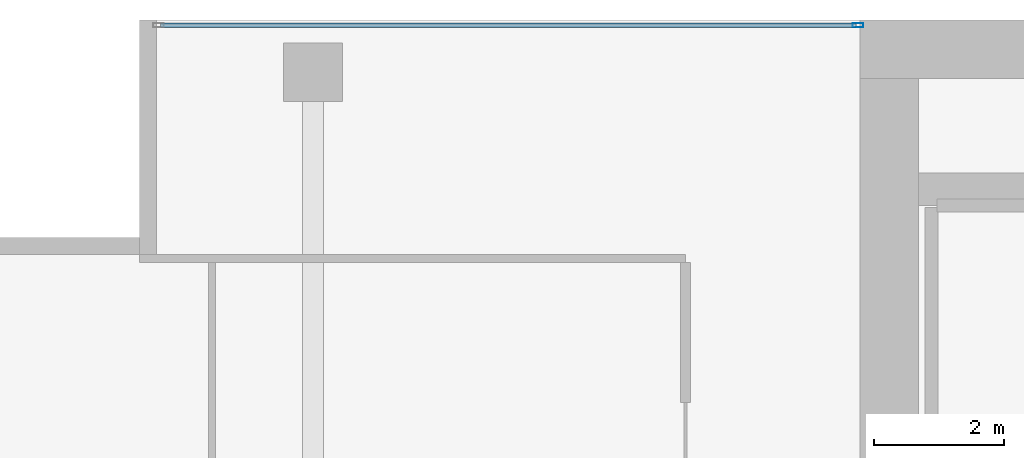
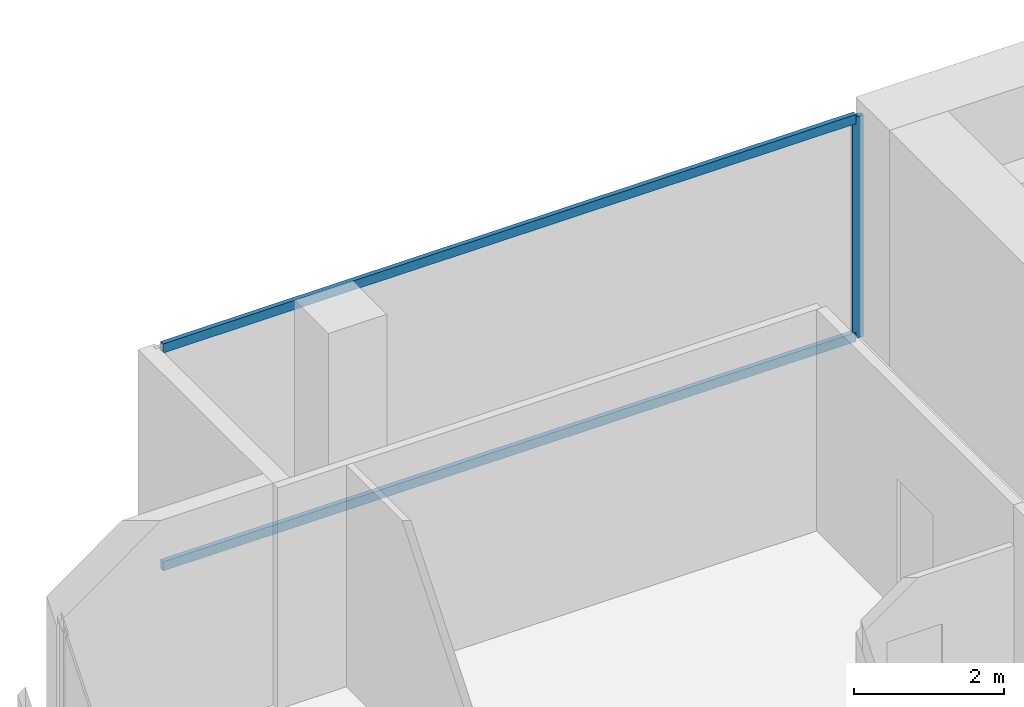
# One storey, part 26 of 40: 3 members, 1 element without a shape of its own.
"""IFC4 building model written with IfcOpenShell, lengths in metres."""

from ifc_helpers import new_model, si_unit, direction, frame, origin, origin_2d, place, context, subcontext, project, spatial, hollow_rectangle, extrude, material, layer, layer_set, material_profile, profile_set, type_object, element, aggregate, save


model = new_model("IFC4")

# Units and contexts
model_context = context("Model", 3, precision=1e-05, world=origin(), true_north=direction((0.0, 1.0)))
body_context = subcontext(model_context, "Body", "Model", "MODEL_VIEW")
ifc_project = project(units=[si_unit("LENGTHUNIT", "METRE"), si_unit("AREAUNIT", "SQUARE_METRE"), si_unit("VOLUMEUNIT", "CUBIC_METRE"), si_unit("PLANEANGLEUNIT", "RADIAN"), si_unit("MASSUNIT", "GRAM", prefix="KILO")], contexts=[model_context])

# Site, building, storey
site_placement = place(None, origin())
site = spatial("IfcSite", under=ifc_project, at=site_placement, CompositionType="ELEMENT")
building_placement = place(site_placement, origin())
building = spatial("IfcBuilding", under=site, at=building_placement, Name="Maruvema Waterfront Hotel and Observation Tower", CompositionType="ELEMENT")
storey_placement = place(building_placement, frame((0.0, 0.0, 34.64990234375)))
storey = spatial("IfcBuildingStorey", under=building, at=storey_placement, Name="L07", CompositionType="ELEMENT", Elevation=34.64990234375)

# Curtain wall, members
ifc_material_1 = material(Name="Anodised bronze aluminium and solar-control low-E IGU", Category="aluminium")
ifc_layer = layer(ifc_material_1, 0.159912109375, Name="Zone 1 Bronze Inner Thermal Curtain Wall System CW-02")
ifc_layer_set = layer_set([ifc_layer], Name="Anodised bronze aluminium and solar-control low-E IGU")
curtain_wall_type = type_object("IfcCurtainWallType", Name="Zone 1 Bronze Inner Thermal Curtain Wall System CW-02", PredefinedType="USERDEFINED", material=ifc_layer_set)
curtain_wall_placement = place(storey_placement, origin())
curtain_wall = element("IfcCurtainWall", 1, at=curtain_wall_placement, inside=storey, type_object=curtain_wall_type, Name="L07 Curtain Wall CW-L07-NW", ObjectType="UNITISED CURTAIN WALL", PredefinedType="USERDEFINED")
ifc_material_2 = material(Name="Anodised architectural bronze aluminium", Category="aluminium")
ifc_material_profile_1 = material_profile(ifc_material_2, hollow_rectangle(XDim=0.070068359375, YDim=0.14990234375, WallThickness=0.00390625, at=origin_2d()), Name="ALU-T70x150")
ifc_profile_set_1 = profile_set([ifc_material_profile_1], Name="Anodised architectural bronze aluminium")
member_type_1 = type_object("IfcMemberType", Name="Curtain Wall Horizontal Transom ALU-T70x150", PredefinedType="USERDEFINED", material=ifc_profile_set_1)
member_1_placement = place(storey_placement, frame((25.139892578125, 53.919921875, 0.030029296875), z_axis=(-1.0, 0.0, 0.0), x_axis=(0.0, -1.0, 0.0)))
member_1 = element("IfcMember", 2, at=member_1_placement, type_object=member_type_1, Name="CW-02 transom 1.1", ObjectType="TRANSOM", PredefinedType="USERDEFINED", context=body_context, shape_type="SweptSolid", body=[
    extrude(hollow_rectangle(XDim=0.070068359375, YDim=0.14990234375, WallThickness=0.00390625, at=origin_2d()), origin(), (0.0, 0.0, 1.0), 10.679931640625),
])
member_2_placement = place(storey_placement, frame((25.139892578125, 53.919921875, 3.580078125), z_axis=(-1.0, 0.0, 0.0), x_axis=(0.0, -1.0, 0.0)))
member_2 = element("IfcMember", 3, at=member_2_placement, type_object=member_type_1, Name="CW-02 transom 1.2", ObjectType="TRANSOM", PredefinedType="USERDEFINED", context=body_context, shape_type="SweptSolid", body=[
    extrude(hollow_rectangle(XDim=0.070068359375, YDim=0.14990234375, WallThickness=0.00390625, at=origin_2d()), origin(), (0.0, 0.0, 1.0), 10.679931640625),
])
ifc_material_3 = material(Name="Anodised architectural bronze aluminium", Category="aluminium")
ifc_material_profile_2 = material_profile(ifc_material_3, hollow_rectangle(XDim=0.06494140625, YDim=0.1650390625, WallThickness=0.00390625, at=origin_2d()), Name="ALU-M65x165")
ifc_profile_set_2 = profile_set([ifc_material_profile_2], Name="Anodised architectural bronze aluminium")
member_type_2 = type_object("IfcMemberType", Name="Curtain Wall Primary Mullion ALU-M65x165", PredefinedType="MULLION", material=ifc_profile_set_2)
member_3_placement = place(storey_placement, frame((25.169921875, 53.919921875, 0.0), z_axis=(0.0, 0.0, 1.0), x_axis=(0.0, -1.0, 0.0)))
member_3 = element("IfcMember", 4, at=member_3_placement, type_object=member_type_2, Name="CW-02 mullion 1", PredefinedType="MULLION", context=body_context, shape_type="SweptSolid", body=[
    extrude(hollow_rectangle(XDim=0.06494140625, YDim=0.1650390625, WallThickness=0.00390625, at=origin_2d()), origin(), (0.0, 0.0, 1.0), 3.610107421875),
])
aggregate(curtain_wall, [member_3, member_1, member_2])

save(model, "model.ifc")
